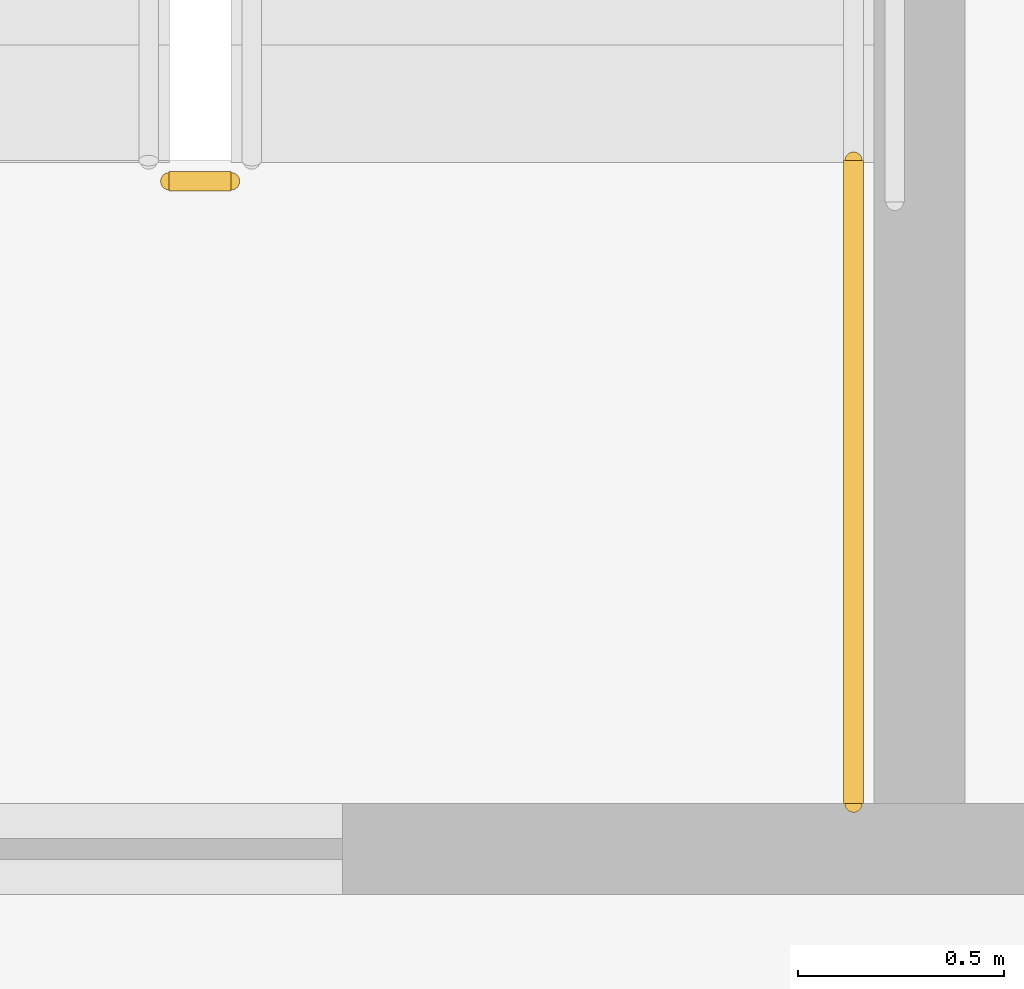
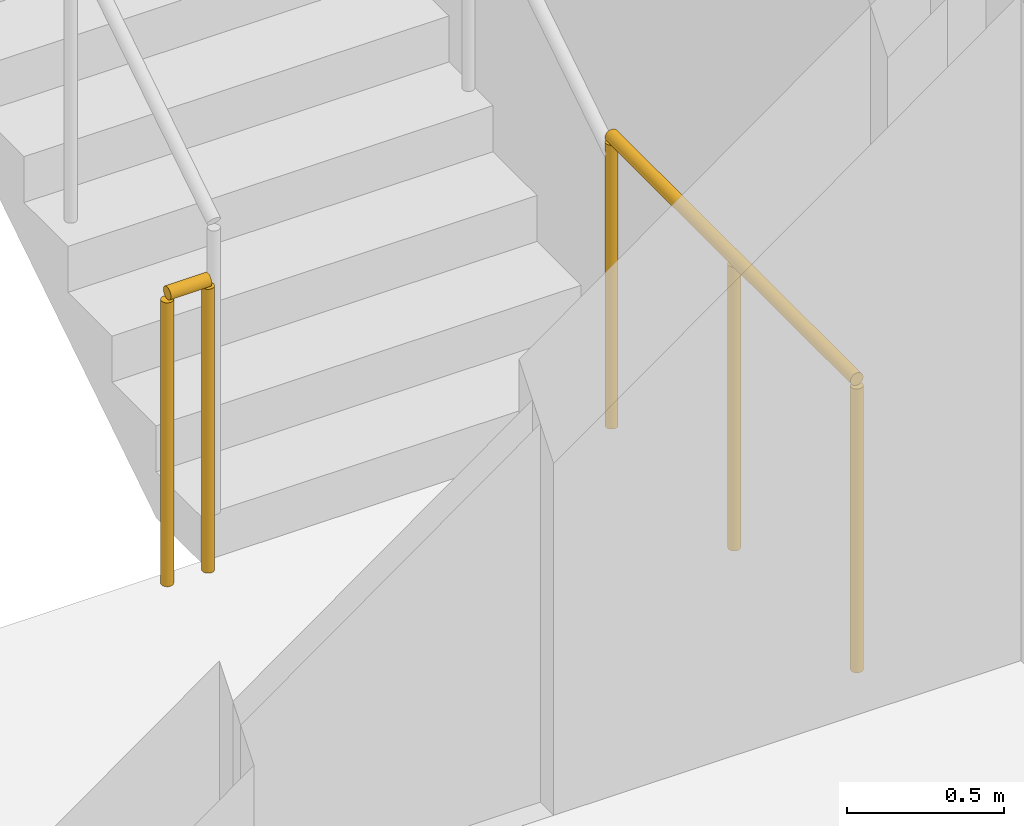
# One storey, part 23 of 31: 2 railings.
"""IFC4 building model written with IfcOpenShell, lengths in metres."""

from ifc_helpers import new_model, si_unit, direction, frame, origin, origin_2d, place, context, subcontext, project, spatial, circle, extrude, material, type_object, element, save


model = new_model("IFC4")

# Units and contexts
model_context = context("Model", 3, precision=1e-05, world=origin(), true_north=direction((0.0, 1.0)))
body_context = subcontext(model_context, "Body", "Model", "MODEL_VIEW")
ifc_project = project(units=[si_unit("LENGTHUNIT", "METRE"), si_unit("AREAUNIT", "SQUARE_METRE"), si_unit("VOLUMEUNIT", "CUBIC_METRE"), si_unit("PLANEANGLEUNIT", "RADIAN"), si_unit("MASSUNIT", "GRAM", prefix="KILO")], contexts=[model_context])

# Site, building, storey
site_placement = place(None, origin())
site = spatial("IfcSite", under=ifc_project, at=site_placement, CompositionType="ELEMENT")
building_placement = place(site_placement, origin())
building = spatial("IfcBuilding", under=site, at=building_placement, Name="Khairoan Windgate Tower", CompositionType="ELEMENT")
storey_placement = place(building_placement, frame((0.0, 0.0, 11.0)))
storey = spatial("IfcBuildingStorey", under=building, at=storey_placement, Name="L03", CompositionType="ELEMENT", Elevation=11.0)

# Railings
ifc_material = material(Name="Steel S355", Category="steel")
railing_type = type_object("IfcRailingType", Name="Stairwell Safety Guardrail SGR-1150", PredefinedType="GUARDRAIL", material=ifc_material)
railing_1_placement = place(storey_placement, frame((-17.7099609375, 2.909912109375, 0.0)))
element("IfcRailing", 1, at=railing_1_placement, inside=storey, type_object=railing_type, Name="L03 ST2 stair guard 7", PredefinedType="GUARDRAIL", context=body_context, shape_type="SweptSolid", body=[
    extrude(circle(Radius=0.02392578125, at=origin_2d()), frame((0.0, 0.0, 1.1259765625), z_axis=(-1.0, 0.0, 0.0), x_axis=(0.0, -1.0, 0.0)), (0.0, 0.0, 1.0), 0.150146484375),
    extrude(circle(Radius=0.02099609375, at=origin_2d()), origin(), (0.0, 0.0, 1.0), 1.101806640625),
    extrude(circle(Radius=0.02099609375, at=origin_2d()), frame((-0.150146484375, 0.0, 0.0)), (0.0, 0.0, 1.0), 1.101806640625),
])
railing_2_placement = place(storey_placement, frame((-16.199951171875, 1.39990234375, 0.0)))
element("IfcRailing", 2, at=railing_2_placement, inside=storey, type_object=railing_type, Name="L03 ST2 stair guard 8", PredefinedType="GUARDRAIL", context=body_context, shape_type="SweptSolid", body=[
    extrude(circle(Radius=0.02392578125, at=origin_2d()), frame((0.0, 0.0, 1.1259765625), z_axis=(0.0, 1.0, 0.0), x_axis=(-1.0, 0.0, 0.0)), (0.0, 0.0, 1.0), 1.56005859375),
    extrude(circle(Radius=0.02099609375, at=origin_2d()), origin(), (0.0, 0.0, 1.0), 1.101806640625),
    extrude(circle(Radius=0.02099609375, at=origin_2d()), frame((0.0, 0.780029296875, 0.0)), (0.0, 0.0, 1.0), 1.101806640625),
    extrude(circle(Radius=0.02099609375, at=origin_2d()), frame((0.0, 1.56005859375, 0.0)), (0.0, 0.0, 1.0), 1.101806640625),
])

save(model, "model.ifc")
